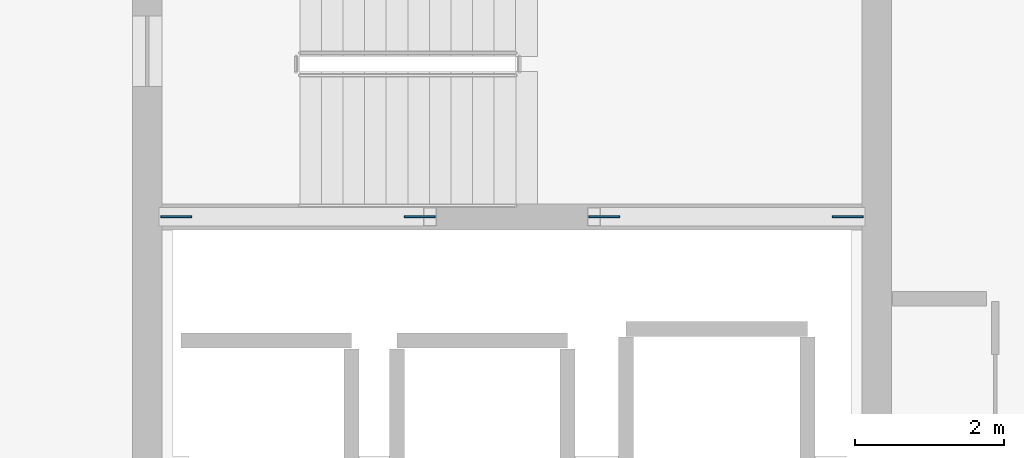
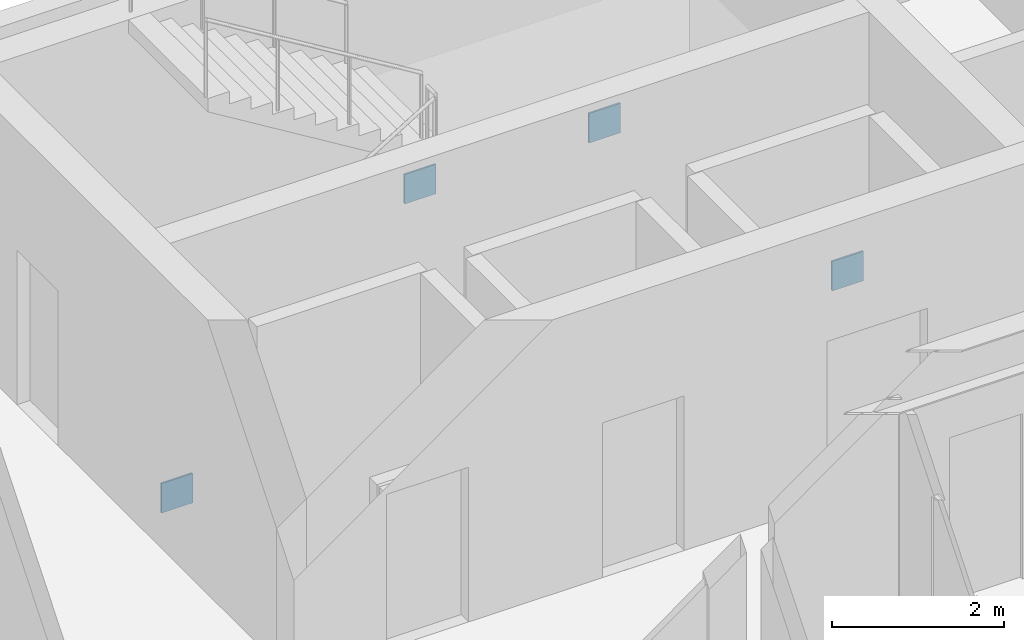
# One storey, part 23 of 46: 4 plates.
"""IFC4 building model written with IfcOpenShell, lengths in metres."""

import ifcopenshell
import ifcopenshell.guid

model = None  # the IFC model being written
_history = None  # IfcOwnerHistory: only IFC2X3 demands one
_inside = {}  # id of a spatial element -> (the spatial element, [elements in it])
_under = {}  # id of a project, library or spatial element -> (it, [spatial elements below it])
_declared = {}  # id of a project -> (the project, [libraries it declares])
_typed = {}  # id of a type object -> (the type object, [elements of that type])
_made_of = {}  # id of a material, layer set ... -> (it, [elements and type objects made of it])


def new_model(schema):
    """Start an empty IFC model of exactly this schema.

    Asked for "IFC4X3", IfcOpenShell would pick the latest addendum, in which some entities
    have other attributes; the version numbers below select the first issue.
    IFC2X3 requires an IfcOwnerHistory on every rooted entity: one is made here for all.
    """
    global model, _history
    if schema == "IFC4X3":
        model = ifcopenshell.file(schema_version=(4, 3, 0, 0))
    else:
        model = ifcopenshell.file(schema=schema)
    _inside.clear()
    _under.clear()
    _declared.clear()
    _typed.clear()
    _made_of.clear()
    _history = None
    if model.schema == "IFC2X3":
        org = make("IfcOrganization", Name="unknown")
        user = make(
            "IfcPersonAndOrganization",
            ThePerson=make("IfcPerson", FamilyName="unknown"),
            TheOrganization=org,
        )
        app = make(
            "IfcApplication",
            ApplicationDeveloper=org,
            Version="unknown",
            ApplicationFullName="unknown",
            ApplicationIdentifier="unknown",
        )
        _history = make(
            "IfcOwnerHistory",
            OwningUser=user,
            OwningApplication=app,
            ChangeAction="ADDED",
            CreationDate=0,
        )
    return model


def make(cls, **values):
    """One entity of the class cls with the attributes given. An attribute that is None is left unset."""
    return model.create_entity(
        cls, **{name: value for name, value in values.items() if value is not None}
    )


def rooted(cls, **values):
    """An entity with a GlobalId (a new one), such as an element, a storey or a relation."""
    return make(cls, GlobalId=ifcopenshell.guid.new(), OwnerHistory=_history, **values)


def si_unit(unit_type, name, prefix=None):
    """IfcSIUnit, for example si_unit("LENGTHUNIT", "METRE", prefix="MILLI")."""
    return make("IfcSIUnit", UnitType=unit_type, Prefix=prefix, Name=name)


def assignment(units):
    """IfcUnitAssignment: the units of a project."""
    return None if units is None else make("IfcUnitAssignment", Units=units)


def point(xyz):
    """IfcCartesianPoint."""
    return None if xyz is None else make("IfcCartesianPoint", Coordinates=xyz)


def direction(xyz):
    """IfcDirection."""
    return None if xyz is None else make("IfcDirection", DirectionRatios=xyz)


def frame(location, z_axis=None, x_axis=None):
    """IfcAxis2Placement3D, a coordinate frame: its origin and axes. An axis left out is left unset."""
    return make(
        "IfcAxis2Placement3D",
        Location=point(location),
        Axis=direction(z_axis),
        RefDirection=direction(x_axis),
    )


def frame_2d(location, x_axis=None):
    """IfcAxis2Placement2D, a coordinate frame in the plane: its origin and x axis."""
    return make(
        "IfcAxis2Placement2D", Location=point(location), RefDirection=direction(x_axis)
    )


def origin():
    """The frame at (0, 0, 0) with its axes left unset."""
    return frame((0.0, 0.0, 0.0))


def origin_2d():
    """The frame at (0, 0) in the plane with its x axis left unset."""
    return frame_2d((0.0, 0.0))


def place(relative_to, where):
    """IfcLocalPlacement: puts the frame where relative to a parent placement (None: the world)."""
    return make(
        "IfcLocalPlacement", PlacementRelTo=relative_to, RelativePlacement=where
    )


def context(
    kind, dimensions, precision=None, world=None, true_north=None, identifier=None
):
    """IfcGeometricRepresentationContext, for example the 3D "Model" context."""
    return make(
        "IfcGeometricRepresentationContext",
        ContextIdentifier=identifier,
        ContextType=kind,
        CoordinateSpaceDimension=dimensions,
        Precision=precision,
        WorldCoordinateSystem=world,
        TrueNorth=true_north,
    )


def subcontext(parent, identifier, kind, view, scale=None):
    """IfcGeometricRepresentationSubContext, for example "Body" below "Model"."""
    return make(
        "IfcGeometricRepresentationSubContext",
        ContextIdentifier=identifier,
        ContextType=kind,
        ParentContext=parent,
        TargetScale=scale,
        TargetView=view,
    )


def project(units=None, contexts=None):
    """IfcProject with its units and contexts."""
    return rooted(
        "IfcProject",
        Name="project",
        RepresentationContexts=contexts,
        UnitsInContext=assignment(units),
    )


def spatial(cls, under=None, at=None, **own):
    """A site, building, storey or space (cls), placed at a placement, below another one or the project."""
    s = rooted(cls, ObjectPlacement=at, **own)
    if under is not None:
        _under.setdefault(under.id(), (under, []))[1].append(s)
    return s


def profile(cls, at=None, kind="AREA", **sizes):
    """A parametric profile (cls). Its sizes go by their IFC names, for example OverallWidth=200.0."""
    return make(cls, ProfileType=kind, Position=at, **sizes)


def rectangle(**sizes):
    """IfcRectangleProfileDef."""
    return profile("IfcRectangleProfileDef", **sizes)


def extrude(swept, where, along, depth):
    """IfcExtrudedAreaSolid: the profile swept, set in the frame where, extruded along a direction by depth."""
    return make(
        "IfcExtrudedAreaSolid",
        SweptArea=swept,
        Position=where,
        ExtrudedDirection=direction(along),
        Depth=depth,
    )


def shape(context_of_items, identifier, shape_type, items):
    """IfcShapeRepresentation: the items that make up one representation, for example the "Body"."""
    return make(
        "IfcShapeRepresentation",
        ContextOfItems=context_of_items,
        RepresentationIdentifier=identifier,
        RepresentationType=shape_type,
        Items=items,
    )


def material(Name=None, Category=None):
    """IfcMaterial."""
    return make("IfcMaterial", Name=Name, Category=Category)


def layer(
    of_material, thickness, ventilated=None, Name=None, Category=None, Priority=None
):
    """IfcMaterialLayer: one layer of a wall or slab, of a material (None: an air gap)."""
    return make(
        "IfcMaterialLayer",
        Material=of_material,
        LayerThickness=thickness,
        IsVentilated=ventilated,
        Name=Name,
        Category=Category,
        Priority=Priority,
    )


def layer_set(layers, Name=None):
    """IfcMaterialLayerSet."""
    return make("IfcMaterialLayerSet", MaterialLayers=layers, LayerSetName=Name)


def made_of(thing, what):
    """Note that an element or type object is made of a material, layer set ...; save() writes the relation."""
    if what is not None:
        _made_of.setdefault(what.id(), (what, []))[1].append(thing)
    return thing


def type_object(cls, material=None, **own):
    """A type object (cls), such as IfcWallType, which elements share."""
    return made_of(rooted(cls, **own), material)


def element(
    cls,
    number,
    at=None,
    inside=None,
    cuts=None,
    type_object=None,
    material=None,
    context=None,
    identifier="Body",
    shape_type=None,
    held_by="IfcProductDefinitionShape",
    body=None,
    shapes=None,
    **own,
):
    """One element of the class cls, such as IfcWall. Its Tag is "e" and its number.

    at: its placement. inside: the storey or other place that contains it. cuts: it is an
    opening in that element (IfcRelVoidsElement). A single representation is given by context,
    identifier, shape_type and body (its items); several are given by shapes. held_by: the class
    of the entity that holds the representations. save() writes the other relations.
    """
    e = rooted(cls, Tag="e%d" % number, ObjectPlacement=at, **own)
    if body is not None:
        shapes = [shape(context, identifier, shape_type, body)]
    if shapes is not None:
        e.Representation = make(held_by, Representations=shapes)
    if inside is not None:
        _inside.setdefault(inside.id(), (inside, []))[1].append(e)
    if cuts is not None:
        rooted(
            "IfcRelVoidsElement", RelatingBuildingElement=cuts, RelatedOpeningElement=e
        )
    if type_object is not None:
        _typed.setdefault(type_object.id(), (type_object, []))[1].append(e)
    return made_of(e, material)


def aggregate(whole, parts):
    """IfcRelAggregates: a whole, such as a stair, and the parts it consists of."""
    return rooted("IfcRelAggregates", RelatingObject=whole, RelatedObjects=parts)


def save(model, path):
    """Write the relations noted so far, then the file.

    IfcRelAggregates (storeys below a building ...), IfcRelContainedInSpatialStructure (elements
    in a storey), IfcRelDefinesByType, IfcRelAssociatesMaterial and IfcRelDeclares: one each for
    every whole, place, type object, material and project.
    """
    for whole, parts in _under.values():
        aggregate(whole, parts)
    for where, things in _inside.values():
        rooted(
            "IfcRelContainedInSpatialStructure",
            RelatedElements=things,
            RelatingStructure=where,
        )
    for kind, things in _typed.values():
        rooted("IfcRelDefinesByType", RelatedObjects=things, RelatingType=kind)
    for what, things in _made_of.values():
        rooted("IfcRelAssociatesMaterial", RelatedObjects=things, RelatingMaterial=what)
    for by, libraries in _declared.values():
        rooted("IfcRelDeclares", RelatingContext=by, RelatedDefinitions=libraries)
    model.write(path)


model = new_model("IFC4")

# Units and contexts
model_context = context("Model", 3, precision=1e-05, world=origin(), true_north=direction((0.0, 1.0)))
body_context = subcontext(model_context, "Body", "Model", "MODEL_VIEW")
ifc_project = project(units=[si_unit("LENGTHUNIT", "METRE"), si_unit("AREAUNIT", "SQUARE_METRE"), si_unit("VOLUMEUNIT", "CUBIC_METRE"), si_unit("PLANEANGLEUNIT", "RADIAN"), si_unit("MASSUNIT", "GRAM", prefix="KILO")], contexts=[model_context])

# Site, building, storey
site_placement = place(None, origin())
site = spatial("IfcSite", under=ifc_project, at=site_placement, CompositionType="ELEMENT")
building_placement = place(site_placement, origin())
building = spatial("IfcBuilding", under=site, at=building_placement, Name="Sollismere Congress Hotel", CompositionType="ELEMENT")
storey_placement = place(building_placement, frame((0.0, 0.0, 19.5)))
storey = spatial("IfcBuildingStorey", under=building, at=storey_placement, Name="L04", CompositionType="ELEMENT", Elevation=19.5)

# Plates
ifc_material = material(Name="Steel ASTM A572 Grade 50", Category="steel")
ifc_layer = layer(ifc_material, 0.02490234375, Name="Steel ASTM A572 Grade 50")
ifc_layer_set = layer_set([ifc_layer], Name="Steel ASTM A572 Grade 50")
plate_type = type_object("IfcPlateType", Name="PL-GS25", PredefinedType="USERDEFINED", material=ifc_layer_set)
for number, where, z_axis, x_axis, name in (
    (1, (94.18994140625, 14.35009765625, -0.030029296875), (0.0, 0.0, 1.0), (1.0, 0.0, 0.0), "PLT-GBF-BF-009-A"),
    (2, (97.4599609375, 14.35009765625, 3.219970703125), (0.0, 0.0, 1.0), (1.0, 0.0, 0.0), "PLT-GBF-BF-009-B"),
    (3, (103.2099609375, 14.35009765625, -0.030029296875), (0.0, 0.0, 1.0), (1.0, 0.0, 0.0), "PLT-GBF-BF-010-A"),
    (4, (99.93994140625, 14.35009765625, 3.219970703125), (0.0, 0.0, 1.0), (1.0, 0.0, 0.0), "PLT-GBF-BF-010-B"),
):
    element("IfcPlate", number, at=place(storey_placement, frame(where, z_axis=z_axis, x_axis=x_axis)), inside=storey, type_object=plate_type, Name=name, ObjectType="GUSSET PLATE", PredefinedType="USERDEFINED", context=body_context, shape_type="SweptSolid", body=[
        extrude(rectangle(XDim=0.419921875, YDim=0.02490234375, at=origin_2d()), origin(), (0.0, 0.0, 1.0), 0.419921875),
    ])

save(model, "model.ifc")
